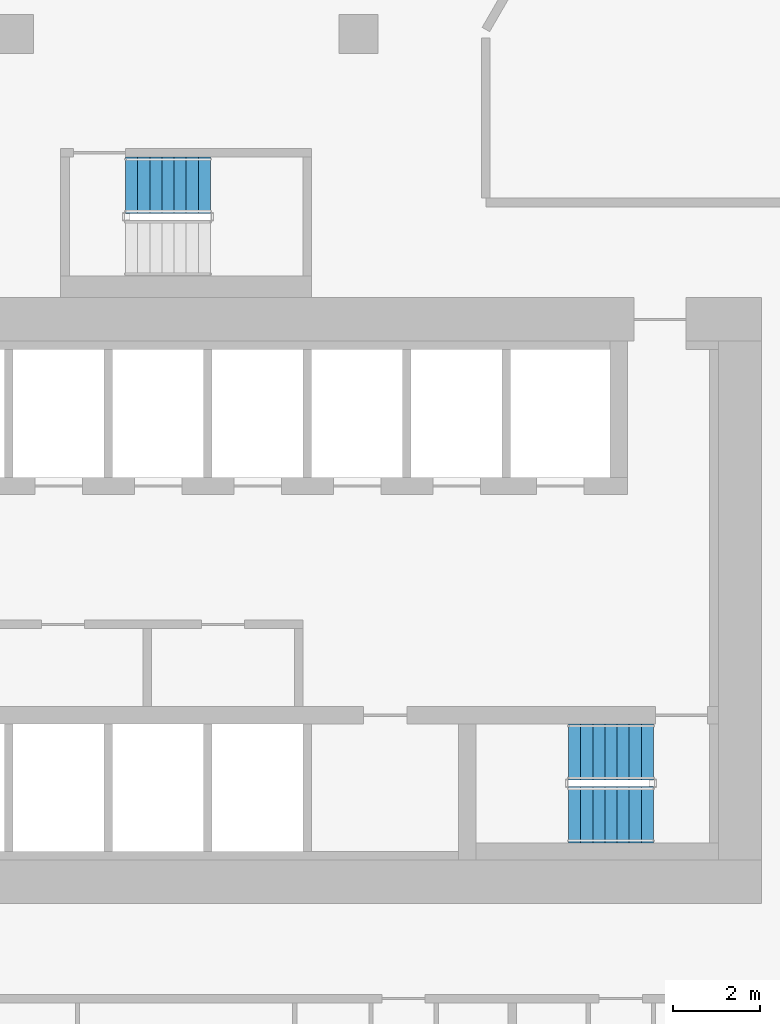
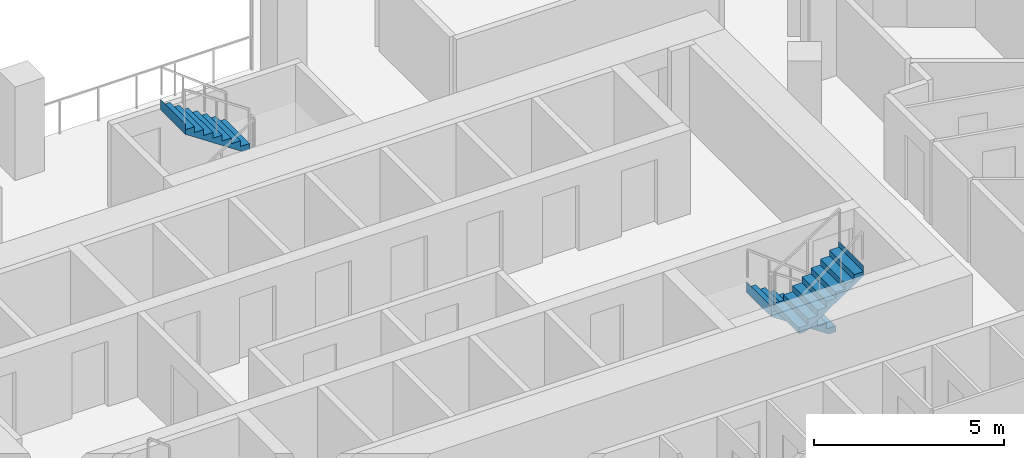
# One storey, part 11 of 15: 3 stair flights, 2 elements without a shape of their own.
"""IFC4 building model written with IfcOpenShell, lengths in metres."""

from ifc_helpers import new_model, si_unit, direction, frame, origin, place, context, subcontext, project, spatial, triangles, material, type_object, element, aggregate, save


model = new_model("IFC4")

# Units and contexts
model_context = context("Model", 3, precision=1e-05, world=origin(), true_north=direction((0.0, 1.0)))
body_context = subcontext(model_context, "Body", "Model", "MODEL_VIEW")
ifc_project = project(units=[si_unit("LENGTHUNIT", "METRE"), si_unit("AREAUNIT", "SQUARE_METRE"), si_unit("VOLUMEUNIT", "CUBIC_METRE"), si_unit("PLANEANGLEUNIT", "RADIAN"), si_unit("MASSUNIT", "GRAM", prefix="KILO")], contexts=[model_context])

# Site, building, storey
site_placement = place(None, origin())
site = spatial("IfcSite", under=ifc_project, at=site_placement, CompositionType="ELEMENT")
building_placement = place(site_placement, origin())
building = spatial("IfcBuilding", under=site, at=building_placement, Name="Beryl Residences", CompositionType="ELEMENT")
storey_placement = place(building_placement, frame((0.0, 0.0, 78.0)))
storey = spatial("IfcBuildingStorey", under=building, at=storey_placement, Name="L23", CompositionType="ELEMENT", Elevation=78.0)

# Stair, stair flights
ifc_material_1 = material(Name="Concrete C40/50", Category="concrete")
stair_type = type_object("IfcStairType", Name="ST1 protected exit stair, half-turn, 1300 mm flights", PredefinedType="HALF_TURN_STAIR", material=ifc_material_1)
stair_1_placement = place(storey_placement, origin())
stair_1 = element("IfcStair", 1, at=stair_1_placement, inside=storey, type_object=stair_type, Name="L23 PROTECTED EXIT STAIR ST-3", PredefinedType="HALF_TURN_STAIR")
ifc_material_2 = material(Name="Concrete C40/50", Category="concrete")
stair_flight_type = type_object("IfcStairFlightType", Name="SF1 stair flight 1300 mm", PredefinedType="STRAIGHT", material=ifc_material_2)
stair_flight_1_placement = place(storey_placement, frame((10.800048828125, -15.5, 0.0), z_axis=(0.0, 0.0, 1.0), x_axis=(-1.0, 0.0, 0.0)))
stair_flight_1 = element("IfcStairFlight", 2, at=stair_flight_1_placement, type_object=stair_flight_type, Name="ST-3 flight 1", NumberOfRisers=8, NumberOfTreads=7, PredefinedType="STRAIGHT", RiserHeight=0.1875, TreadLength=0.28, context=body_context, shape_type="Tessellation", body=[
    triangles([(0.0, -0.64990234375, 0.0), (0.0, -0.324951171875, 0.0), (0.0, 0.0, 0.0), (0.0, 0.324951171875, 0.0), (0.0, 0.64990234375, 0.0), (0.0, -0.64990234375, 0.1875), (0.0, -0.324951171875, 0.1875), (0.0, 0.0, 0.1875), (0.0, 0.324951171875, 0.1875), (0.0, 0.64990234375, 0.1875), (0.280029296875, -0.64990234375, 0.1875), (0.280029296875, -0.324951171875, 0.1875), (0.280029296875, 0.0, 0.1875), (0.280029296875, 0.324951171875, 0.1875), (0.280029296875, 0.64990234375, 0.1875), (0.280029296875, -0.64990234375, 0.375), (0.280029296875, -0.324951171875, 0.375), (0.280029296875, 0.0, 0.375), (0.280029296875, 0.324951171875, 0.375), (0.280029296875, 0.64990234375, 0.375), (0.56005859375, -0.64990234375, 0.375), (0.56005859375, -0.324951171875, 0.375), (0.56005859375, 0.0, 0.375), (0.56005859375, 0.324951171875, 0.375), (0.56005859375, 0.64990234375, 0.375), (0.56005859375, -0.64990234375, 0.5625), (0.56005859375, -0.324951171875, 0.5625), (0.56005859375, 0.0, 0.5625), (0.56005859375, 0.324951171875, 0.5625), (0.56005859375, 0.64990234375, 0.5625), (0.840087890625, -0.64990234375, 0.5625), (0.840087890625, -0.324951171875, 0.5625), (0.840087890625, 0.0, 0.5625), (0.840087890625, 0.324951171875, 0.5625), (0.840087890625, 0.64990234375, 0.5625), (0.840087890625, -0.64990234375, 0.75), (0.840087890625, -0.324951171875, 0.75), (0.840087890625, 0.0, 0.75), (0.840087890625, 0.324951171875, 0.75), (0.840087890625, 0.64990234375, 0.75), (1.1201171875, -0.64990234375, 0.75), (1.1201171875, -0.324951171875, 0.75), (1.1201171875, 0.0, 0.75), (1.1201171875, 0.324951171875, 0.75), (1.1201171875, 0.64990234375, 0.75), (1.1201171875, -0.64990234375, 0.9375), (1.1201171875, -0.324951171875, 0.9375), (1.1201171875, 0.0, 0.9375), (1.1201171875, 0.324951171875, 0.9375), (1.1201171875, 0.64990234375, 0.9375), (1.39990234375, -0.64990234375, 0.9375), (1.39990234375, -0.324951171875, 0.9375), (1.39990234375, 0.0, 0.9375), (1.39990234375, 0.324951171875, 0.9375), (1.39990234375, 0.64990234375, 0.9375), (1.39990234375, -0.64990234375, 1.125), (1.39990234375, -0.324951171875, 1.125), (1.39990234375, 0.0, 1.125), (1.39990234375, 0.324951171875, 1.125), (1.39990234375, 0.64990234375, 1.125), (1.679931640625, -0.64990234375, 1.125), (1.679931640625, -0.324951171875, 1.125), (1.679931640625, 0.0, 1.125), (1.679931640625, 0.324951171875, 1.125), (1.679931640625, 0.64990234375, 1.125), (1.679931640625, -0.64990234375, 1.3125), (1.679931640625, -0.324951171875, 1.3125), (1.679931640625, 0.0, 1.3125), (1.679931640625, 0.324951171875, 1.3125), (1.679931640625, 0.64990234375, 1.3125), (1.9599609375, -0.64990234375, 1.3125), (1.9599609375, -0.324951171875, 1.3125), (1.9599609375, 0.0, 1.3125), (1.9599609375, 0.324951171875, 1.3125), (1.9599609375, 0.64990234375, 1.3125), (1.9599609375, -0.64990234375, 1.5), (1.9599609375, -0.324951171875, 1.5), (1.9599609375, 0.0, 1.5), (1.9599609375, 0.324951171875, 1.5), (1.9599609375, 0.64990234375, 1.5), (1.9609375, -0.64990234375, 1.5), (1.9609375, -0.324951171875, 1.5), (1.9609375, 0.0, 1.5), (1.9609375, 0.324951171875, 1.5), (1.9609375, 0.64990234375, 1.5), (1.9609375, -0.64990234375, 1.16796875), (1.9609375, -0.324951171875, 1.16796875), (1.9609375, 0.0, 1.16796875), (1.9609375, 0.324951171875, 1.16796875), (1.9609375, 0.64990234375, 1.16796875), (0.216796875, -0.64990234375, 0.0), (0.216796875, -0.324951171875, 0.0), (0.216796875, 0.0, 0.0), (0.216796875, 0.324951171875, 0.0), (0.216796875, 0.64990234375, 0.0)], [[1, 6, 7], [1, 7, 2], [2, 7, 8], [2, 8, 3], [3, 8, 9], [3, 9, 4], [4, 9, 10], [4, 10, 5], [6, 11, 12], [6, 12, 7], [7, 12, 13], [7, 13, 8], [8, 13, 14], [8, 14, 9], [9, 14, 15], [9, 15, 10], [11, 16, 17], [11, 17, 12], [12, 17, 18], [12, 18, 13], [13, 18, 19], [13, 19, 14], [14, 19, 20], [14, 20, 15], [16, 21, 22], [16, 22, 17], [17, 22, 23], [17, 23, 18], [18, 23, 24], [18, 24, 19], [19, 24, 25], [19, 25, 20], [21, 26, 27], [21, 27, 22], [22, 27, 28], [22, 28, 23], [23, 28, 29], [23, 29, 24], [24, 29, 30], [24, 30, 25], [26, 31, 32], [26, 32, 27], [27, 32, 33], [27, 33, 28], [28, 33, 34], [28, 34, 29], [29, 34, 35], [29, 35, 30], [31, 36, 37], [31, 37, 32], [32, 37, 38], [32, 38, 33], [33, 38, 39], [33, 39, 34], [34, 39, 40], [34, 40, 35], [36, 41, 42], [36, 42, 37], [37, 42, 43], [37, 43, 38], [38, 43, 44], [38, 44, 39], [39, 44, 45], [39, 45, 40], [41, 46, 47], [41, 47, 42], [42, 47, 48], [42, 48, 43], [43, 48, 49], [43, 49, 44], [44, 49, 50], [44, 50, 45], [46, 51, 52], [46, 52, 47], [47, 52, 53], [47, 53, 48], [48, 53, 54], [48, 54, 49], [49, 54, 55], [49, 55, 50], [51, 56, 57], [51, 57, 52], [52, 57, 58], [52, 58, 53], [53, 58, 59], [53, 59, 54], [54, 59, 60], [54, 60, 55], [56, 61, 62], [56, 62, 57], [57, 62, 63], [57, 63, 58], [58, 63, 64], [58, 64, 59], [59, 64, 65], [59, 65, 60], [61, 66, 67], [61, 67, 62], [62, 67, 68], [62, 68, 63], [63, 68, 69], [63, 69, 64], [64, 69, 70], [64, 70, 65], [66, 71, 72], [66, 72, 67], [67, 72, 73], [67, 73, 68], [68, 73, 74], [68, 74, 69], [69, 74, 75], [69, 75, 70], [71, 76, 77], [71, 77, 72], [72, 77, 78], [72, 78, 73], [73, 78, 79], [73, 79, 74], [74, 79, 80], [74, 80, 75], [76, 81, 82], [76, 82, 77], [77, 82, 83], [77, 83, 78], [78, 83, 84], [78, 84, 79], [79, 84, 85], [79, 85, 80], [81, 86, 87], [81, 87, 82], [82, 87, 88], [82, 88, 83], [83, 88, 89], [83, 89, 84], [84, 89, 90], [84, 90, 85], [86, 91, 92], [86, 92, 87], [87, 92, 93], [87, 93, 88], [88, 93, 94], [88, 94, 89], [89, 94, 95], [89, 95, 90], [91, 1, 2], [91, 2, 92], [92, 2, 3], [92, 3, 93], [93, 3, 4], [93, 4, 94], [94, 4, 5], [94, 5, 95], [1, 91, 86], [5, 90, 95], [86, 81, 76], [90, 80, 85], [86, 76, 71], [90, 75, 80], [86, 71, 66], [90, 70, 75], [86, 66, 61], [90, 65, 70], [61, 56, 51], [65, 55, 60], [86, 61, 51], [90, 55, 65], [51, 46, 41], [55, 45, 50], [86, 51, 41], [90, 45, 55], [41, 36, 31], [45, 35, 40], [86, 41, 31], [90, 35, 45], [31, 26, 21], [35, 25, 30], [86, 31, 21], [90, 25, 35], [21, 16, 11], [25, 15, 20], [86, 21, 11], [90, 15, 25], [1, 86, 11], [5, 15, 90], [11, 6, 1], [15, 5, 10]], closed=True),
])
stair_flight_2_placement = place(storey_placement, frame((8.840087890625, -16.949951171875, 1.5), z_axis=(0.0, 0.0, 1.0), x_axis=(1.0, 0.0, 0.0)))
stair_flight_2 = element("IfcStairFlight", 3, at=stair_flight_2_placement, type_object=stair_flight_type, Name="ST-3 flight 2", NumberOfRisers=8, NumberOfTreads=7, PredefinedType="STRAIGHT", RiserHeight=0.1875, TreadLength=0.28, context=body_context, shape_type="Tessellation", body=[
    triangles([(0.0, -0.64990234375, 0.0), (0.0, -0.324951171875, 0.0), (0.0, 0.0, 0.0), (0.0, 0.324951171875, 0.0), (0.0, 0.64990234375, 0.0), (0.0, -0.64990234375, 0.1875), (0.0, -0.324951171875, 0.1875), (0.0, 0.0, 0.1875), (0.0, 0.324951171875, 0.1875), (0.0, 0.64990234375, 0.1875), (0.280029296875, -0.64990234375, 0.1875), (0.280029296875, -0.324951171875, 0.1875), (0.280029296875, 0.0, 0.1875), (0.280029296875, 0.324951171875, 0.1875), (0.280029296875, 0.64990234375, 0.1875), (0.280029296875, -0.64990234375, 0.375), (0.280029296875, -0.324951171875, 0.375), (0.280029296875, 0.0, 0.375), (0.280029296875, 0.324951171875, 0.375), (0.280029296875, 0.64990234375, 0.375), (0.56005859375, -0.64990234375, 0.375), (0.56005859375, -0.324951171875, 0.375), (0.56005859375, 0.0, 0.375), (0.56005859375, 0.324951171875, 0.375), (0.56005859375, 0.64990234375, 0.375), (0.56005859375, -0.64990234375, 0.5625), (0.56005859375, -0.324951171875, 0.5625), (0.56005859375, 0.0, 0.5625), (0.56005859375, 0.324951171875, 0.5625), (0.56005859375, 0.64990234375, 0.5625), (0.840087890625, -0.64990234375, 0.5625), (0.840087890625, -0.324951171875, 0.5625), (0.840087890625, 0.0, 0.5625), (0.840087890625, 0.324951171875, 0.5625), (0.840087890625, 0.64990234375, 0.5625), (0.840087890625, -0.64990234375, 0.75), (0.840087890625, -0.324951171875, 0.75), (0.840087890625, 0.0, 0.75), (0.840087890625, 0.324951171875, 0.75), (0.840087890625, 0.64990234375, 0.75), (1.1201171875, -0.64990234375, 0.75), (1.1201171875, -0.324951171875, 0.75), (1.1201171875, 0.0, 0.75), (1.1201171875, 0.324951171875, 0.75), (1.1201171875, 0.64990234375, 0.75), (1.1201171875, -0.64990234375, 0.9375), (1.1201171875, -0.324951171875, 0.9375), (1.1201171875, 0.0, 0.9375), (1.1201171875, 0.324951171875, 0.9375), (1.1201171875, 0.64990234375, 0.9375), (1.39990234375, -0.64990234375, 0.9375), (1.39990234375, -0.324951171875, 0.9375), (1.39990234375, 0.0, 0.9375), (1.39990234375, 0.324951171875, 0.9375), (1.39990234375, 0.64990234375, 0.9375), (1.39990234375, -0.64990234375, 1.125), (1.39990234375, -0.324951171875, 1.125), (1.39990234375, 0.0, 1.125), (1.39990234375, 0.324951171875, 1.125), (1.39990234375, 0.64990234375, 1.125), (1.679931640625, -0.64990234375, 1.125), (1.679931640625, -0.324951171875, 1.125), (1.679931640625, 0.0, 1.125), (1.679931640625, 0.324951171875, 1.125), (1.679931640625, 0.64990234375, 1.125), (1.679931640625, -0.64990234375, 1.3125), (1.679931640625, -0.324951171875, 1.3125), (1.679931640625, 0.0, 1.3125), (1.679931640625, 0.324951171875, 1.3125), (1.679931640625, 0.64990234375, 1.3125), (1.9599609375, -0.64990234375, 1.3125), (1.9599609375, -0.324951171875, 1.3125), (1.9599609375, 0.0, 1.3125), (1.9599609375, 0.324951171875, 1.3125), (1.9599609375, 0.64990234375, 1.3125), (1.9599609375, -0.64990234375, 1.5), (1.9599609375, -0.324951171875, 1.5), (1.9599609375, 0.0, 1.5), (1.9599609375, 0.324951171875, 1.5), (1.9599609375, 0.64990234375, 1.5), (1.9609375, -0.64990234375, 1.5), (1.9609375, -0.324951171875, 1.5), (1.9609375, 0.0, 1.5), (1.9609375, 0.324951171875, 1.5), (1.9609375, 0.64990234375, 1.5), (1.9609375, -0.64990234375, 1.16796875), (1.9609375, -0.324951171875, 1.16796875), (1.9609375, 0.0, 1.16796875), (1.9609375, 0.324951171875, 1.16796875), (1.9609375, 0.64990234375, 1.16796875), (0.216796875, -0.64990234375, 0.0), (0.216796875, -0.324951171875, 0.0), (0.216796875, 0.0, 0.0), (0.216796875, 0.324951171875, 0.0), (0.216796875, 0.64990234375, 0.0)], [[1, 6, 7], [1, 7, 2], [2, 7, 8], [2, 8, 3], [3, 8, 9], [3, 9, 4], [4, 9, 10], [4, 10, 5], [6, 11, 12], [6, 12, 7], [7, 12, 13], [7, 13, 8], [8, 13, 14], [8, 14, 9], [9, 14, 15], [9, 15, 10], [11, 16, 17], [11, 17, 12], [12, 17, 18], [12, 18, 13], [13, 18, 19], [13, 19, 14], [14, 19, 20], [14, 20, 15], [16, 21, 22], [16, 22, 17], [17, 22, 23], [17, 23, 18], [18, 23, 24], [18, 24, 19], [19, 24, 25], [19, 25, 20], [21, 26, 27], [21, 27, 22], [22, 27, 28], [22, 28, 23], [23, 28, 29], [23, 29, 24], [24, 29, 30], [24, 30, 25], [26, 31, 32], [26, 32, 27], [27, 32, 33], [27, 33, 28], [28, 33, 34], [28, 34, 29], [29, 34, 35], [29, 35, 30], [31, 36, 37], [31, 37, 32], [32, 37, 38], [32, 38, 33], [33, 38, 39], [33, 39, 34], [34, 39, 40], [34, 40, 35], [36, 41, 42], [36, 42, 37], [37, 42, 43], [37, 43, 38], [38, 43, 44], [38, 44, 39], [39, 44, 45], [39, 45, 40], [41, 46, 47], [41, 47, 42], [42, 47, 48], [42, 48, 43], [43, 48, 49], [43, 49, 44], [44, 49, 50], [44, 50, 45], [46, 51, 52], [46, 52, 47], [47, 52, 53], [47, 53, 48], [48, 53, 54], [48, 54, 49], [49, 54, 55], [49, 55, 50], [51, 56, 57], [51, 57, 52], [52, 57, 58], [52, 58, 53], [53, 58, 59], [53, 59, 54], [54, 59, 60], [54, 60, 55], [56, 61, 62], [56, 62, 57], [57, 62, 63], [57, 63, 58], [58, 63, 64], [58, 64, 59], [59, 64, 65], [59, 65, 60], [61, 66, 67], [61, 67, 62], [62, 67, 68], [62, 68, 63], [63, 68, 69], [63, 69, 64], [64, 69, 70], [64, 70, 65], [66, 71, 72], [66, 72, 67], [67, 72, 73], [67, 73, 68], [68, 73, 74], [68, 74, 69], [69, 74, 75], [69, 75, 70], [71, 76, 77], [71, 77, 72], [72, 77, 78], [72, 78, 73], [73, 78, 79], [73, 79, 74], [74, 79, 80], [74, 80, 75], [76, 81, 82], [76, 82, 77], [77, 82, 83], [77, 83, 78], [78, 83, 84], [78, 84, 79], [79, 84, 85], [79, 85, 80], [81, 86, 87], [81, 87, 82], [82, 87, 88], [82, 88, 83], [83, 88, 89], [83, 89, 84], [84, 89, 90], [84, 90, 85], [86, 91, 92], [86, 92, 87], [87, 92, 93], [87, 93, 88], [88, 93, 94], [88, 94, 89], [89, 94, 95], [89, 95, 90], [91, 1, 2], [91, 2, 92], [92, 2, 3], [92, 3, 93], [93, 3, 4], [93, 4, 94], [94, 4, 5], [94, 5, 95], [1, 91, 86], [5, 90, 95], [86, 81, 76], [90, 80, 85], [86, 76, 71], [90, 75, 80], [86, 71, 66], [90, 70, 75], [86, 66, 61], [90, 65, 70], [61, 56, 51], [65, 55, 60], [86, 61, 51], [90, 55, 65], [51, 46, 41], [55, 45, 50], [86, 51, 41], [90, 45, 55], [41, 36, 31], [45, 35, 40], [86, 41, 31], [90, 35, 45], [31, 26, 21], [35, 25, 30], [86, 31, 21], [90, 25, 35], [21, 16, 11], [25, 15, 20], [86, 21, 11], [90, 15, 25], [1, 86, 11], [5, 15, 90], [11, 6, 1], [15, 5, 10]], closed=True),
])
aggregate(stair_1, [stair_flight_1, stair_flight_2])

# Stair, stair flight
stair_2_placement = place(storey_placement, origin())
stair_2 = element("IfcStair", 4, at=stair_2_placement, inside=storey, type_object=stair_type, Name="L23 PROTECTED EXIT STAIR ST-4", PredefinedType="HALF_TURN_STAIR")
stair_flight_3_placement = place(storey_placement, frame((0.56005859375, -2.39990234375, 1.5), z_axis=(0.0, 0.0, 1.0), x_axis=(-1.0, 0.0, 0.0)))
stair_flight_3 = element("IfcStairFlight", 5, at=stair_flight_3_placement, type_object=stair_flight_type, Name="ST-4 flight 2", NumberOfRisers=8, NumberOfTreads=7, PredefinedType="STRAIGHT", RiserHeight=0.1875, TreadLength=0.28, context=body_context, shape_type="Tessellation", body=[
    triangles([(0.0, -0.64990234375, 0.0), (0.0, -0.324951171875, 0.0), (0.0, 0.0, 0.0), (0.0, 0.324951171875, 0.0), (0.0, 0.64990234375, 0.0), (0.0, -0.64990234375, 0.1875), (0.0, -0.324951171875, 0.1875), (0.0, 0.0, 0.1875), (0.0, 0.324951171875, 0.1875), (0.0, 0.64990234375, 0.1875), (0.280029296875, -0.64990234375, 0.1875), (0.280029296875, -0.324951171875, 0.1875), (0.280029296875, 0.0, 0.1875), (0.280029296875, 0.324951171875, 0.1875), (0.280029296875, 0.64990234375, 0.1875), (0.280029296875, -0.64990234375, 0.375), (0.280029296875, -0.324951171875, 0.375), (0.280029296875, 0.0, 0.375), (0.280029296875, 0.324951171875, 0.375), (0.280029296875, 0.64990234375, 0.375), (0.56005859375, -0.64990234375, 0.375), (0.56005859375, -0.324951171875, 0.375), (0.56005859375, 0.0, 0.375), (0.56005859375, 0.324951171875, 0.375), (0.56005859375, 0.64990234375, 0.375), (0.56005859375, -0.64990234375, 0.5625), (0.56005859375, -0.324951171875, 0.5625), (0.56005859375, 0.0, 0.5625), (0.56005859375, 0.324951171875, 0.5625), (0.56005859375, 0.64990234375, 0.5625), (0.840087890625, -0.64990234375, 0.5625), (0.840087890625, -0.324951171875, 0.5625), (0.840087890625, 0.0, 0.5625), (0.840087890625, 0.324951171875, 0.5625), (0.840087890625, 0.64990234375, 0.5625), (0.840087890625, -0.64990234375, 0.75), (0.840087890625, -0.324951171875, 0.75), (0.840087890625, 0.0, 0.75), (0.840087890625, 0.324951171875, 0.75), (0.840087890625, 0.64990234375, 0.75), (1.1201171875, -0.64990234375, 0.75), (1.1201171875, -0.324951171875, 0.75), (1.1201171875, 0.0, 0.75), (1.1201171875, 0.324951171875, 0.75), (1.1201171875, 0.64990234375, 0.75), (1.1201171875, -0.64990234375, 0.9375), (1.1201171875, -0.324951171875, 0.9375), (1.1201171875, 0.0, 0.9375), (1.1201171875, 0.324951171875, 0.9375), (1.1201171875, 0.64990234375, 0.9375), (1.39990234375, -0.64990234375, 0.9375), (1.39990234375, -0.324951171875, 0.9375), (1.39990234375, 0.0, 0.9375), (1.39990234375, 0.324951171875, 0.9375), (1.39990234375, 0.64990234375, 0.9375), (1.39990234375, -0.64990234375, 1.125), (1.39990234375, -0.324951171875, 1.125), (1.39990234375, 0.0, 1.125), (1.39990234375, 0.324951171875, 1.125), (1.39990234375, 0.64990234375, 1.125), (1.679931640625, -0.64990234375, 1.125), (1.679931640625, -0.324951171875, 1.125), (1.679931640625, 0.0, 1.125), (1.679931640625, 0.324951171875, 1.125), (1.679931640625, 0.64990234375, 1.125), (1.679931640625, -0.64990234375, 1.3125), (1.679931640625, -0.324951171875, 1.3125), (1.679931640625, 0.0, 1.3125), (1.679931640625, 0.324951171875, 1.3125), (1.679931640625, 0.64990234375, 1.3125), (1.9599609375, -0.64990234375, 1.3125), (1.9599609375, -0.324951171875, 1.3125), (1.9599609375, 0.0, 1.3125), (1.9599609375, 0.324951171875, 1.3125), (1.9599609375, 0.64990234375, 1.3125), (1.9599609375, -0.64990234375, 1.5), (1.9599609375, -0.324951171875, 1.5), (1.9599609375, 0.0, 1.5), (1.9599609375, 0.324951171875, 1.5), (1.9599609375, 0.64990234375, 1.5), (1.9609375, -0.64990234375, 1.5), (1.9609375, -0.324951171875, 1.5), (1.9609375, 0.0, 1.5), (1.9609375, 0.324951171875, 1.5), (1.9609375, 0.64990234375, 1.5), (1.9609375, -0.64990234375, 1.16796875), (1.9609375, -0.324951171875, 1.16796875), (1.9609375, 0.0, 1.16796875), (1.9609375, 0.324951171875, 1.16796875), (1.9609375, 0.64990234375, 1.16796875), (0.216796875, -0.64990234375, 0.0), (0.216796875, -0.324951171875, 0.0), (0.216796875, 0.0, 0.0), (0.216796875, 0.324951171875, 0.0), (0.216796875, 0.64990234375, 0.0)], [[1, 6, 7], [1, 7, 2], [2, 7, 8], [2, 8, 3], [3, 8, 9], [3, 9, 4], [4, 9, 10], [4, 10, 5], [6, 11, 12], [6, 12, 7], [7, 12, 13], [7, 13, 8], [8, 13, 14], [8, 14, 9], [9, 14, 15], [9, 15, 10], [11, 16, 17], [11, 17, 12], [12, 17, 18], [12, 18, 13], [13, 18, 19], [13, 19, 14], [14, 19, 20], [14, 20, 15], [16, 21, 22], [16, 22, 17], [17, 22, 23], [17, 23, 18], [18, 23, 24], [18, 24, 19], [19, 24, 25], [19, 25, 20], [21, 26, 27], [21, 27, 22], [22, 27, 28], [22, 28, 23], [23, 28, 29], [23, 29, 24], [24, 29, 30], [24, 30, 25], [26, 31, 32], [26, 32, 27], [27, 32, 33], [27, 33, 28], [28, 33, 34], [28, 34, 29], [29, 34, 35], [29, 35, 30], [31, 36, 37], [31, 37, 32], [32, 37, 38], [32, 38, 33], [33, 38, 39], [33, 39, 34], [34, 39, 40], [34, 40, 35], [36, 41, 42], [36, 42, 37], [37, 42, 43], [37, 43, 38], [38, 43, 44], [38, 44, 39], [39, 44, 45], [39, 45, 40], [41, 46, 47], [41, 47, 42], [42, 47, 48], [42, 48, 43], [43, 48, 49], [43, 49, 44], [44, 49, 50], [44, 50, 45], [46, 51, 52], [46, 52, 47], [47, 52, 53], [47, 53, 48], [48, 53, 54], [48, 54, 49], [49, 54, 55], [49, 55, 50], [51, 56, 57], [51, 57, 52], [52, 57, 58], [52, 58, 53], [53, 58, 59], [53, 59, 54], [54, 59, 60], [54, 60, 55], [56, 61, 62], [56, 62, 57], [57, 62, 63], [57, 63, 58], [58, 63, 64], [58, 64, 59], [59, 64, 65], [59, 65, 60], [61, 66, 67], [61, 67, 62], [62, 67, 68], [62, 68, 63], [63, 68, 69], [63, 69, 64], [64, 69, 70], [64, 70, 65], [66, 71, 72], [66, 72, 67], [67, 72, 73], [67, 73, 68], [68, 73, 74], [68, 74, 69], [69, 74, 75], [69, 75, 70], [71, 76, 77], [71, 77, 72], [72, 77, 78], [72, 78, 73], [73, 78, 79], [73, 79, 74], [74, 79, 80], [74, 80, 75], [76, 81, 82], [76, 82, 77], [77, 82, 83], [77, 83, 78], [78, 83, 84], [78, 84, 79], [79, 84, 85], [79, 85, 80], [81, 86, 87], [81, 87, 82], [82, 87, 88], [82, 88, 83], [83, 88, 89], [83, 89, 84], [84, 89, 90], [84, 90, 85], [86, 91, 92], [86, 92, 87], [87, 92, 93], [87, 93, 88], [88, 93, 94], [88, 94, 89], [89, 94, 95], [89, 95, 90], [91, 1, 2], [91, 2, 92], [92, 2, 3], [92, 3, 93], [93, 3, 4], [93, 4, 94], [94, 4, 5], [94, 5, 95], [1, 91, 86], [5, 90, 95], [86, 81, 76], [90, 80, 85], [86, 76, 71], [90, 75, 80], [86, 71, 66], [90, 70, 75], [86, 66, 61], [90, 65, 70], [61, 56, 51], [65, 55, 60], [86, 61, 51], [90, 55, 65], [51, 46, 41], [55, 45, 50], [86, 51, 41], [90, 45, 55], [41, 36, 31], [45, 35, 40], [86, 41, 31], [90, 35, 45], [31, 26, 21], [35, 25, 30], [86, 31, 21], [90, 25, 35], [21, 16, 11], [25, 15, 20], [86, 21, 11], [90, 15, 25], [1, 86, 11], [5, 15, 90], [11, 6, 1], [15, 5, 10]], closed=True),
])
aggregate(stair_2, [stair_flight_3])

save(model, "model.ifc")
